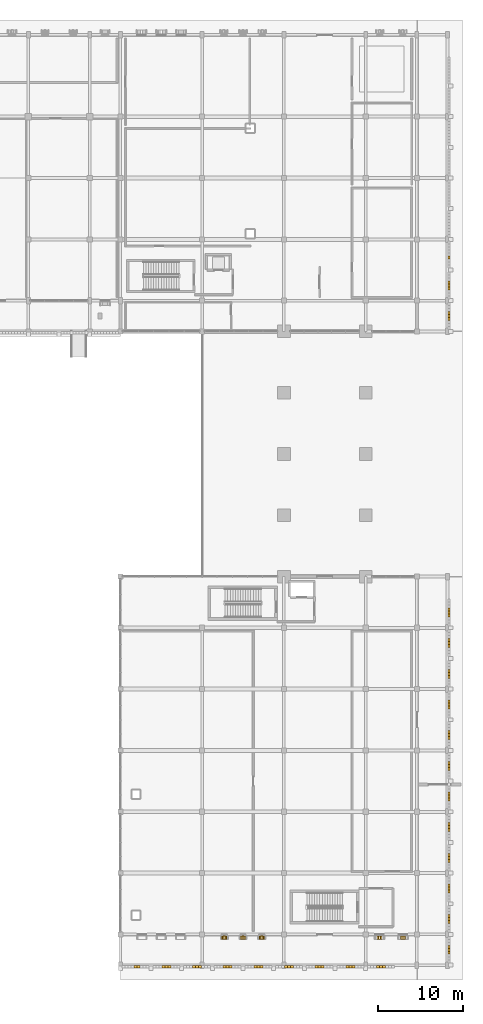
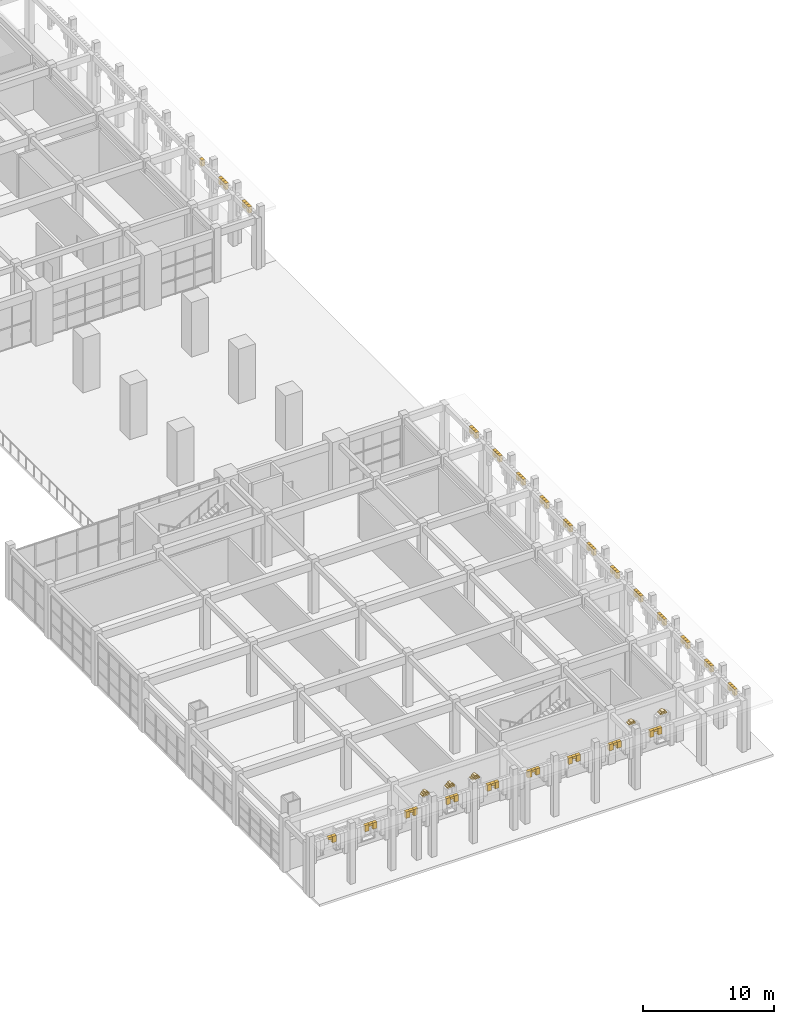
# One storey, part 70 of 72: 82 coverings.
"""IFC4 building model written with IfcOpenShell, lengths in metres."""

from ifc_helpers import new_model, si_unit, direction, frame, origin, origin_2d, place, context, subcontext, project, spatial, rectangle, extrude, material, layer, layer_set, type_object, element, save


model = new_model("IFC4")

# Units and contexts
model_context = context("Model", 3, precision=1e-05, world=origin(), true_north=direction((0.0, 1.0)))
body_context = subcontext(model_context, "Body", "Model", "MODEL_VIEW")
ifc_project = project(units=[si_unit("LENGTHUNIT", "METRE"), si_unit("AREAUNIT", "SQUARE_METRE"), si_unit("VOLUMEUNIT", "CUBIC_METRE"), si_unit("PLANEANGLEUNIT", "RADIAN"), si_unit("MASSUNIT", "GRAM", prefix="KILO")], contexts=[model_context])

# Site, building, storey
site_placement = place(None, origin())
site = spatial("IfcSite", under=ifc_project, at=site_placement, CompositionType="ELEMENT")
building_placement = place(site_placement, origin())
building = spatial("IfcBuilding", under=site, at=building_placement, Name="Nzembalo Square Collegiate School", CompositionType="ELEMENT")
storey_placement = place(building_placement, origin())
storey = spatial("IfcBuildingStorey", under=building, at=storey_placement, Name="L00", CompositionType="ELEMENT", Elevation=0.0)

# Coverings
ifc_material_1 = material(Name="Precast concrete C40/50 arch voussoir", Category="concrete")
ifc_layer_1 = layer(ifc_material_1, 0.1201171875, Name="Precast concrete C40/50 arch voussoir")
ifc_layer_set_1 = layer_set([ifc_layer_1], Name="Precast concrete C40/50 arch voussoir")
covering_type_1 = type_object("IfcCoveringType", Name="AR01", PredefinedType="CLADDING", material=ifc_layer_set_1)
covering_1_placement = place(storey_placement, frame((132.60009765625, 4.6201171875, 4.579833984375), z_axis=(0.0, 0.0, 1.0), x_axis=(1.0, 0.0, 0.0)))
element("IfcCovering", 1, at=covering_1_placement, inside=storey, type_object=covering_type_1, Name="Gothic pointed arch voussoir AR01-067-4", PredefinedType="CLADDING", context=body_context, shape_type="SweptSolid", body=[
    extrude(rectangle(XDim=0.35107421875, YDim=0.280029296875, at=origin_2d()), origin(), (0.0, 0.0, 1.0), 0.22021484375),
])
for number, where, z_axis, x_axis, name in (
    (2, (132.951171875, 4.6201171875, 4.2109375), (0.0, 0.0, 1.0), (1.0, 0.0, 0.0), "Gothic pointed arch voussoir AR01-067-5"),
    (3, (135.848876953125, 4.6201171875, 4.2109375), (0.0, 0.0, 1.0), (1.0, 0.0, 0.0), "Gothic pointed arch voussoir AR01-068-3"),
):
    element("IfcCovering", number, at=place(storey_placement, frame(where, z_axis=z_axis, x_axis=x_axis)), inside=storey, type_object=covering_type_1, Name=name, PredefinedType="CLADDING", context=body_context, shape_type="SweptSolid", body=[
        extrude(rectangle(XDim=0.35107421875, YDim=0.280029296875, at=origin_2d()), origin(), (0.0, 0.0, 1.0), 0.589111328125),
    ])
covering_2_placement = place(storey_placement, frame((136.199951171875, 4.6201171875, 4.579833984375), z_axis=(0.0, 0.0, 1.0), x_axis=(1.0, 0.0, 0.0)))
element("IfcCovering", 4, at=covering_2_placement, inside=storey, type_object=covering_type_1, Name="Gothic pointed arch voussoir AR01-068-4", PredefinedType="CLADDING", context=body_context, shape_type="SweptSolid", body=[
    extrude(rectangle(XDim=0.35107421875, YDim=0.280029296875, at=origin_2d()), origin(), (0.0, 0.0, 1.0), 0.22021484375),
])
for number, where, z_axis, x_axis, name in (
    (5, (136.551025390625, 4.6201171875, 4.2109375), (0.0, 0.0, 1.0), (1.0, 0.0, 0.0), "Gothic pointed arch voussoir AR01-068-5"),
    (6, (139.448974609375, 4.6201171875, 4.2109375), (0.0, 0.0, 1.0), (1.0, 0.0, 0.0), "Gothic pointed arch voussoir AR01-069-3"),
):
    element("IfcCovering", number, at=place(storey_placement, frame(where, z_axis=z_axis, x_axis=x_axis)), inside=storey, type_object=covering_type_1, Name=name, PredefinedType="CLADDING", context=body_context, shape_type="SweptSolid", body=[
        extrude(rectangle(XDim=0.35107421875, YDim=0.280029296875, at=origin_2d()), origin(), (0.0, 0.0, 1.0), 0.589111328125),
    ])
covering_3_placement = place(storey_placement, frame((139.800048828125, 4.6201171875, 4.579833984375), z_axis=(0.0, 0.0, 1.0), x_axis=(1.0, 0.0, 0.0)))
element("IfcCovering", 7, at=covering_3_placement, inside=storey, type_object=covering_type_1, Name="Gothic pointed arch voussoir AR01-069-4", PredefinedType="CLADDING", context=body_context, shape_type="SweptSolid", body=[
    extrude(rectangle(XDim=0.35107421875, YDim=0.280029296875, at=origin_2d()), origin(), (0.0, 0.0, 1.0), 0.22021484375),
])
for number, where, z_axis, x_axis, name in (
    (8, (140.15087890625, 4.6201171875, 4.2109375), (0.0, 0.0, 1.0), (1.0, 0.0, 0.0), "Gothic pointed arch voussoir AR01-069-5"),
    (9, (143.048828125, 4.6201171875, 4.2109375), (0.0, 0.0, 1.0), (1.0, 0.0, 0.0), "Gothic pointed arch voussoir AR01-070-3"),
):
    element("IfcCovering", number, at=place(storey_placement, frame(where, z_axis=z_axis, x_axis=x_axis)), inside=storey, type_object=covering_type_1, Name=name, PredefinedType="CLADDING", context=body_context, shape_type="SweptSolid", body=[
        extrude(rectangle(XDim=0.35107421875, YDim=0.280029296875, at=origin_2d()), origin(), (0.0, 0.0, 1.0), 0.589111328125),
    ])
covering_4_placement = place(storey_placement, frame((143.39990234375, 4.6201171875, 4.579833984375), z_axis=(0.0, 0.0, 1.0), x_axis=(1.0, 0.0, 0.0)))
element("IfcCovering", 10, at=covering_4_placement, inside=storey, type_object=covering_type_1, Name="Gothic pointed arch voussoir AR01-070-4", PredefinedType="CLADDING", context=body_context, shape_type="SweptSolid", body=[
    extrude(rectangle(XDim=0.35107421875, YDim=0.280029296875, at=origin_2d()), origin(), (0.0, 0.0, 1.0), 0.22021484375),
])
for number, where, z_axis, x_axis, name in (
    (11, (143.7509765625, 4.6201171875, 4.2109375), (0.0, 0.0, 1.0), (1.0, 0.0, 0.0), "Gothic pointed arch voussoir AR01-070-5"),
    (12, (146.64892578125, 4.6201171875, 4.2109375), (0.0, 0.0, 1.0), (1.0, 0.0, 0.0), "Gothic pointed arch voussoir AR01-071-3"),
):
    element("IfcCovering", number, at=place(storey_placement, frame(where, z_axis=z_axis, x_axis=x_axis)), inside=storey, type_object=covering_type_1, Name=name, PredefinedType="CLADDING", context=body_context, shape_type="SweptSolid", body=[
        extrude(rectangle(XDim=0.35107421875, YDim=0.280029296875, at=origin_2d()), origin(), (0.0, 0.0, 1.0), 0.589111328125),
    ])
covering_5_placement = place(storey_placement, frame((147.0, 4.6201171875, 4.579833984375), z_axis=(0.0, 0.0, 1.0), x_axis=(1.0, 0.0, 0.0)))
element("IfcCovering", 13, at=covering_5_placement, inside=storey, type_object=covering_type_1, Name="Gothic pointed arch voussoir AR01-071-4", PredefinedType="CLADDING", context=body_context, shape_type="SweptSolid", body=[
    extrude(rectangle(XDim=0.35107421875, YDim=0.280029296875, at=origin_2d()), origin(), (0.0, 0.0, 1.0), 0.22021484375),
])
for number, where, z_axis, x_axis, name in (
    (14, (147.35107421875, 4.6201171875, 4.2109375), (0.0, 0.0, 1.0), (1.0, 0.0, 0.0), "Gothic pointed arch voussoir AR01-071-5"),
    (15, (150.248779296875, 4.6201171875, 4.2109375), (0.0, 0.0, 1.0), (1.0, 0.0, 0.0), "Gothic pointed arch voussoir AR01-072-3"),
):
    element("IfcCovering", number, at=place(storey_placement, frame(where, z_axis=z_axis, x_axis=x_axis)), inside=storey, type_object=covering_type_1, Name=name, PredefinedType="CLADDING", context=body_context, shape_type="SweptSolid", body=[
        extrude(rectangle(XDim=0.35107421875, YDim=0.280029296875, at=origin_2d()), origin(), (0.0, 0.0, 1.0), 0.589111328125),
    ])
covering_6_placement = place(storey_placement, frame((150.60009765625, 4.6201171875, 4.579833984375), z_axis=(0.0, 0.0, 1.0), x_axis=(1.0, 0.0, 0.0)))
element("IfcCovering", 16, at=covering_6_placement, inside=storey, type_object=covering_type_1, Name="Gothic pointed arch voussoir AR01-072-4", PredefinedType="CLADDING", context=body_context, shape_type="SweptSolid", body=[
    extrude(rectangle(XDim=0.35107421875, YDim=0.280029296875, at=origin_2d()), origin(), (0.0, 0.0, 1.0), 0.22021484375),
])
for number, where, z_axis, x_axis, name in (
    (17, (150.950927734375, 4.6201171875, 4.2109375), (0.0, 0.0, 1.0), (1.0, 0.0, 0.0), "Gothic pointed arch voussoir AR01-072-5"),
    (18, (153.848876953125, 4.6201171875, 4.2109375), (0.0, 0.0, 1.0), (1.0, 0.0, 0.0), "Gothic pointed arch voussoir AR01-073-3"),
):
    element("IfcCovering", number, at=place(storey_placement, frame(where, z_axis=z_axis, x_axis=x_axis)), inside=storey, type_object=covering_type_1, Name=name, PredefinedType="CLADDING", context=body_context, shape_type="SweptSolid", body=[
        extrude(rectangle(XDim=0.35107421875, YDim=0.280029296875, at=origin_2d()), origin(), (0.0, 0.0, 1.0), 0.589111328125),
    ])
covering_7_placement = place(storey_placement, frame((154.199951171875, 4.6201171875, 4.579833984375), z_axis=(0.0, 0.0, 1.0), x_axis=(1.0, 0.0, 0.0)))
element("IfcCovering", 19, at=covering_7_placement, inside=storey, type_object=covering_type_1, Name="Gothic pointed arch voussoir AR01-073-4", PredefinedType="CLADDING", context=body_context, shape_type="SweptSolid", body=[
    extrude(rectangle(XDim=0.35107421875, YDim=0.280029296875, at=origin_2d()), origin(), (0.0, 0.0, 1.0), 0.22021484375),
])
for number, where, z_axis, x_axis, name in (
    (20, (154.551025390625, 4.6201171875, 4.2109375), (0.0, 0.0, 1.0), (1.0, 0.0, 0.0), "Gothic pointed arch voussoir AR01-073-5"),
    (21, (157.44873046875, 4.6201171875, 4.2109375), (0.0, 0.0, 1.0), (1.0, 0.0, 0.0), "Gothic pointed arch voussoir AR01-074-3"),
):
    element("IfcCovering", number, at=place(storey_placement, frame(where, z_axis=z_axis, x_axis=x_axis)), inside=storey, type_object=covering_type_1, Name=name, PredefinedType="CLADDING", context=body_context, shape_type="SweptSolid", body=[
        extrude(rectangle(XDim=0.35107421875, YDim=0.280029296875, at=origin_2d()), origin(), (0.0, 0.0, 1.0), 0.589111328125),
    ])
covering_8_placement = place(storey_placement, frame((157.7998046875, 4.6201171875, 4.579833984375), z_axis=(0.0, 0.0, 1.0), x_axis=(1.0, 0.0, 0.0)))
element("IfcCovering", 22, at=covering_8_placement, inside=storey, type_object=covering_type_1, Name="Gothic pointed arch voussoir AR01-074-4", PredefinedType="CLADDING", context=body_context, shape_type="SweptSolid", body=[
    extrude(rectangle(XDim=0.35107421875, YDim=0.280029296875, at=origin_2d()), origin(), (0.0, 0.0, 1.0), 0.22021484375),
])
for number, where, z_axis, x_axis, name in (
    (23, (158.15087890625, 4.6201171875, 4.2109375), (0.0, 0.0, 1.0), (1.0, 0.0, 0.0), "Gothic pointed arch voussoir AR01-074-5"),
    (24, (161.048828125, 4.6201171875, 4.2109375), (0.0, 0.0, 1.0), (1.0, 0.0, 0.0), "Gothic pointed arch voussoir AR01-075-3"),
):
    element("IfcCovering", number, at=place(storey_placement, frame(where, z_axis=z_axis, x_axis=x_axis)), inside=storey, type_object=covering_type_1, Name=name, PredefinedType="CLADDING", context=body_context, shape_type="SweptSolid", body=[
        extrude(rectangle(XDim=0.35107421875, YDim=0.280029296875, at=origin_2d()), origin(), (0.0, 0.0, 1.0), 0.589111328125),
    ])
covering_9_placement = place(storey_placement, frame((161.39990234375, 4.6201171875, 4.579833984375), z_axis=(0.0, 0.0, 1.0), x_axis=(1.0, 0.0, 0.0)))
element("IfcCovering", 25, at=covering_9_placement, inside=storey, type_object=covering_type_1, Name="Gothic pointed arch voussoir AR01-075-4", PredefinedType="CLADDING", context=body_context, shape_type="SweptSolid", body=[
    extrude(rectangle(XDim=0.35107421875, YDim=0.280029296875, at=origin_2d()), origin(), (0.0, 0.0, 1.0), 0.22021484375),
])
covering_10_placement = place(storey_placement, frame((161.7509765625, 4.6201171875, 4.2109375), z_axis=(0.0, 0.0, 1.0), x_axis=(1.0, 0.0, 0.0)))
element("IfcCovering", 26, at=covering_10_placement, inside=storey, type_object=covering_type_1, Name="Gothic pointed arch voussoir AR01-075-5", PredefinedType="CLADDING", context=body_context, shape_type="SweptSolid", body=[
    extrude(rectangle(XDim=0.35107421875, YDim=0.280029296875, at=origin_2d()), origin(), (0.0, 0.0, 1.0), 0.589111328125),
])
covering_11_placement = place(storey_placement, frame((169.3798828125, 6.248779296875, 4.2109375), z_axis=(0.0, 0.0, 1.0), x_axis=(1.0, 0.0, 0.0)))
element("IfcCovering", 27, at=covering_11_placement, inside=storey, type_object=covering_type_1, Name="Gothic pointed arch voussoir AR01-076-3", PredefinedType="CLADDING", context=body_context, shape_type="SweptSolid", body=[
    extrude(rectangle(XDim=0.280029296875, YDim=0.35107421875, at=origin_2d()), origin(), (0.0, 0.0, 1.0), 0.589111328125),
])
covering_12_placement = place(storey_placement, frame((169.3798828125, 6.599853515625, 4.579833984375), z_axis=(0.0, 0.0, 1.0), x_axis=(1.0, 0.0, 0.0)))
element("IfcCovering", 28, at=covering_12_placement, inside=storey, type_object=covering_type_1, Name="Gothic pointed arch voussoir AR01-076-4", PredefinedType="CLADDING", context=body_context, shape_type="SweptSolid", body=[
    extrude(rectangle(XDim=0.280029296875, YDim=0.35107421875, at=origin_2d()), origin(), (0.0, 0.0, 1.0), 0.22021484375),
])
for number, where, z_axis, x_axis, name in (
    (29, (169.3798828125, 6.950927734375, 4.2109375), (0.0, 0.0, 1.0), (1.0, 0.0, 0.0), "Gothic pointed arch voussoir AR01-076-5"),
    (30, (169.3798828125, 9.848876953125, 4.2109375), (0.0, 0.0, 1.0), (1.0, 0.0, 0.0), "Gothic pointed arch voussoir AR01-077-3"),
):
    element("IfcCovering", number, at=place(storey_placement, frame(where, z_axis=z_axis, x_axis=x_axis)), inside=storey, type_object=covering_type_1, Name=name, PredefinedType="CLADDING", context=body_context, shape_type="SweptSolid", body=[
        extrude(rectangle(XDim=0.280029296875, YDim=0.35107421875, at=origin_2d()), origin(), (0.0, 0.0, 1.0), 0.589111328125),
    ])
covering_13_placement = place(storey_placement, frame((169.3798828125, 10.199951171875, 4.579833984375), z_axis=(0.0, 0.0, 1.0), x_axis=(1.0, 0.0, 0.0)))
element("IfcCovering", 31, at=covering_13_placement, inside=storey, type_object=covering_type_1, Name="Gothic pointed arch voussoir AR01-077-4", PredefinedType="CLADDING", context=body_context, shape_type="SweptSolid", body=[
    extrude(rectangle(XDim=0.280029296875, YDim=0.35107421875, at=origin_2d()), origin(), (0.0, 0.0, 1.0), 0.22021484375),
])
for number, where, z_axis, x_axis, name in (
    (32, (169.3798828125, 10.551025390625, 4.2109375), (0.0, 0.0, 1.0), (1.0, 0.0, 0.0), "Gothic pointed arch voussoir AR01-077-5"),
    (33, (169.3798828125, 13.44873046875, 4.2109375), (0.0, 0.0, 1.0), (1.0, 0.0, 0.0), "Gothic pointed arch voussoir AR01-078-3"),
):
    element("IfcCovering", number, at=place(storey_placement, frame(where, z_axis=z_axis, x_axis=x_axis)), inside=storey, type_object=covering_type_1, Name=name, PredefinedType="CLADDING", context=body_context, shape_type="SweptSolid", body=[
        extrude(rectangle(XDim=0.280029296875, YDim=0.35107421875, at=origin_2d()), origin(), (0.0, 0.0, 1.0), 0.589111328125),
    ])
covering_14_placement = place(storey_placement, frame((169.3798828125, 13.7998046875, 4.579833984375), z_axis=(0.0, 0.0, 1.0), x_axis=(1.0, 0.0, 0.0)))
element("IfcCovering", 34, at=covering_14_placement, inside=storey, type_object=covering_type_1, Name="Gothic pointed arch voussoir AR01-078-4", PredefinedType="CLADDING", context=body_context, shape_type="SweptSolid", body=[
    extrude(rectangle(XDim=0.280029296875, YDim=0.35107421875, at=origin_2d()), origin(), (0.0, 0.0, 1.0), 0.22021484375),
])
for number, where, z_axis, x_axis, name in (
    (35, (169.3798828125, 14.15087890625, 4.2109375), (0.0, 0.0, 1.0), (1.0, 0.0, 0.0), "Gothic pointed arch voussoir AR01-078-5"),
    (36, (169.3798828125, 17.048828125, 4.2109375), (0.0, 0.0, 1.0), (1.0, 0.0, 0.0), "Gothic pointed arch voussoir AR01-079-3"),
):
    element("IfcCovering", number, at=place(storey_placement, frame(where, z_axis=z_axis, x_axis=x_axis)), inside=storey, type_object=covering_type_1, Name=name, PredefinedType="CLADDING", context=body_context, shape_type="SweptSolid", body=[
        extrude(rectangle(XDim=0.280029296875, YDim=0.35107421875, at=origin_2d()), origin(), (0.0, 0.0, 1.0), 0.589111328125),
    ])
covering_15_placement = place(storey_placement, frame((169.3798828125, 17.39990234375, 4.579833984375), z_axis=(0.0, 0.0, 1.0), x_axis=(1.0, 0.0, 0.0)))
element("IfcCovering", 37, at=covering_15_placement, inside=storey, type_object=covering_type_1, Name="Gothic pointed arch voussoir AR01-079-4", PredefinedType="CLADDING", context=body_context, shape_type="SweptSolid", body=[
    extrude(rectangle(XDim=0.280029296875, YDim=0.35107421875, at=origin_2d()), origin(), (0.0, 0.0, 1.0), 0.22021484375),
])
for number, where, z_axis, x_axis, name in (
    (38, (169.3798828125, 17.7509765625, 4.2109375), (0.0, 0.0, 1.0), (1.0, 0.0, 0.0), "Gothic pointed arch voussoir AR01-079-5"),
    (39, (169.3798828125, 20.648681640625, 4.2109375), (0.0, 0.0, 1.0), (1.0, 0.0, 0.0), "Gothic pointed arch voussoir AR01-080-3"),
):
    element("IfcCovering", number, at=place(storey_placement, frame(where, z_axis=z_axis, x_axis=x_axis)), inside=storey, type_object=covering_type_1, Name=name, PredefinedType="CLADDING", context=body_context, shape_type="SweptSolid", body=[
        extrude(rectangle(XDim=0.280029296875, YDim=0.35107421875, at=origin_2d()), origin(), (0.0, 0.0, 1.0), 0.589111328125),
    ])
covering_16_placement = place(storey_placement, frame((169.3798828125, 21.0, 4.579833984375), z_axis=(0.0, 0.0, 1.0), x_axis=(1.0, 0.0, 0.0)))
element("IfcCovering", 40, at=covering_16_placement, inside=storey, type_object=covering_type_1, Name="Gothic pointed arch voussoir AR01-080-4", PredefinedType="CLADDING", context=body_context, shape_type="SweptSolid", body=[
    extrude(rectangle(XDim=0.280029296875, YDim=0.35107421875, at=origin_2d()), origin(), (0.0, 0.0, 1.0), 0.22021484375),
])
for number, where, z_axis, x_axis, name in (
    (41, (169.3798828125, 21.35107421875, 4.2109375), (0.0, 0.0, 1.0), (1.0, 0.0, 0.0), "Gothic pointed arch voussoir AR01-080-5"),
    (42, (169.3798828125, 24.248779296875, 4.2109375), (0.0, 0.0, 1.0), (1.0, 0.0, 0.0), "Gothic pointed arch voussoir AR01-081-3"),
):
    element("IfcCovering", number, at=place(storey_placement, frame(where, z_axis=z_axis, x_axis=x_axis)), inside=storey, type_object=covering_type_1, Name=name, PredefinedType="CLADDING", context=body_context, shape_type="SweptSolid", body=[
        extrude(rectangle(XDim=0.280029296875, YDim=0.35107421875, at=origin_2d()), origin(), (0.0, 0.0, 1.0), 0.589111328125),
    ])
covering_17_placement = place(storey_placement, frame((169.3798828125, 24.599853515625, 4.579833984375), z_axis=(0.0, 0.0, 1.0), x_axis=(1.0, 0.0, 0.0)))
element("IfcCovering", 43, at=covering_17_placement, inside=storey, type_object=covering_type_1, Name="Gothic pointed arch voussoir AR01-081-4", PredefinedType="CLADDING", context=body_context, shape_type="SweptSolid", body=[
    extrude(rectangle(XDim=0.280029296875, YDim=0.35107421875, at=origin_2d()), origin(), (0.0, 0.0, 1.0), 0.22021484375),
])
for number, where, z_axis, x_axis, name in (
    (44, (169.3798828125, 24.951171875, 4.2109375), (0.0, 0.0, 1.0), (1.0, 0.0, 0.0), "Gothic pointed arch voussoir AR01-081-5"),
    (45, (169.3798828125, 27.848876953125, 4.2109375), (0.0, 0.0, 1.0), (1.0, 0.0, 0.0), "Gothic pointed arch voussoir AR01-082-3"),
):
    element("IfcCovering", number, at=place(storey_placement, frame(where, z_axis=z_axis, x_axis=x_axis)), inside=storey, type_object=covering_type_1, Name=name, PredefinedType="CLADDING", context=body_context, shape_type="SweptSolid", body=[
        extrude(rectangle(XDim=0.280029296875, YDim=0.35107421875, at=origin_2d()), origin(), (0.0, 0.0, 1.0), 0.589111328125),
    ])
covering_18_placement = place(storey_placement, frame((169.3798828125, 28.199951171875, 4.579833984375), z_axis=(0.0, 0.0, 1.0), x_axis=(1.0, 0.0, 0.0)))
element("IfcCovering", 46, at=covering_18_placement, inside=storey, type_object=covering_type_1, Name="Gothic pointed arch voussoir AR01-082-4", PredefinedType="CLADDING", context=body_context, shape_type="SweptSolid", body=[
    extrude(rectangle(XDim=0.280029296875, YDim=0.35107421875, at=origin_2d()), origin(), (0.0, 0.0, 1.0), 0.22021484375),
])
for number, where, z_axis, x_axis, name in (
    (47, (169.3798828125, 28.551025390625, 4.2109375), (0.0, 0.0, 1.0), (1.0, 0.0, 0.0), "Gothic pointed arch voussoir AR01-082-5"),
    (48, (169.3798828125, 31.448974609375, 4.2109375), (0.0, 0.0, 1.0), (1.0, 0.0, 0.0), "Gothic pointed arch voussoir AR01-083-3"),
):
    element("IfcCovering", number, at=place(storey_placement, frame(where, z_axis=z_axis, x_axis=x_axis)), inside=storey, type_object=covering_type_1, Name=name, PredefinedType="CLADDING", context=body_context, shape_type="SweptSolid", body=[
        extrude(rectangle(XDim=0.280029296875, YDim=0.35107421875, at=origin_2d()), origin(), (0.0, 0.0, 1.0), 0.589111328125),
    ])
covering_19_placement = place(storey_placement, frame((169.3798828125, 31.800048828125, 4.579833984375), z_axis=(0.0, 0.0, 1.0), x_axis=(1.0, 0.0, 0.0)))
element("IfcCovering", 49, at=covering_19_placement, inside=storey, type_object=covering_type_1, Name="Gothic pointed arch voussoir AR01-083-4", PredefinedType="CLADDING", context=body_context, shape_type="SweptSolid", body=[
    extrude(rectangle(XDim=0.280029296875, YDim=0.35107421875, at=origin_2d()), origin(), (0.0, 0.0, 1.0), 0.22021484375),
])
for number, where, z_axis, x_axis, name in (
    (50, (169.3798828125, 32.151123046875, 4.2109375), (0.0, 0.0, 1.0), (1.0, 0.0, 0.0), "Gothic pointed arch voussoir AR01-083-5"),
    (51, (169.3798828125, 35.048828125, 4.2109375), (0.0, 0.0, 1.0), (1.0, 0.0, 0.0), "Gothic pointed arch voussoir AR01-084-3"),
):
    element("IfcCovering", number, at=place(storey_placement, frame(where, z_axis=z_axis, x_axis=x_axis)), inside=storey, type_object=covering_type_1, Name=name, PredefinedType="CLADDING", context=body_context, shape_type="SweptSolid", body=[
        extrude(rectangle(XDim=0.280029296875, YDim=0.35107421875, at=origin_2d()), origin(), (0.0, 0.0, 1.0), 0.589111328125),
    ])
covering_20_placement = place(storey_placement, frame((169.3798828125, 35.39990234375, 4.579833984375), z_axis=(0.0, 0.0, 1.0), x_axis=(1.0, 0.0, 0.0)))
element("IfcCovering", 52, at=covering_20_placement, inside=storey, type_object=covering_type_1, Name="Gothic pointed arch voussoir AR01-084-4", PredefinedType="CLADDING", context=body_context, shape_type="SweptSolid", body=[
    extrude(rectangle(XDim=0.280029296875, YDim=0.35107421875, at=origin_2d()), origin(), (0.0, 0.0, 1.0), 0.22021484375),
])
for number, where, z_axis, x_axis, name in (
    (53, (169.3798828125, 35.751220703125, 4.2109375), (0.0, 0.0, 1.0), (1.0, 0.0, 0.0), "Gothic pointed arch voussoir AR01-084-5"),
    (54, (169.3798828125, 38.64892578125, 4.2109375), (0.0, 0.0, 1.0), (1.0, 0.0, 0.0), "Gothic pointed arch voussoir AR01-085-3"),
):
    element("IfcCovering", number, at=place(storey_placement, frame(where, z_axis=z_axis, x_axis=x_axis)), inside=storey, type_object=covering_type_1, Name=name, PredefinedType="CLADDING", context=body_context, shape_type="SweptSolid", body=[
        extrude(rectangle(XDim=0.280029296875, YDim=0.35107421875, at=origin_2d()), origin(), (0.0, 0.0, 1.0), 0.589111328125),
    ])
covering_21_placement = place(storey_placement, frame((169.3798828125, 39.0, 4.579833984375), z_axis=(0.0, 0.0, 1.0), x_axis=(1.0, 0.0, 0.0)))
element("IfcCovering", 55, at=covering_21_placement, inside=storey, type_object=covering_type_1, Name="Gothic pointed arch voussoir AR01-085-4", PredefinedType="CLADDING", context=body_context, shape_type="SweptSolid", body=[
    extrude(rectangle(XDim=0.280029296875, YDim=0.35107421875, at=origin_2d()), origin(), (0.0, 0.0, 1.0), 0.22021484375),
])
for number, where, z_axis, x_axis, name in (
    (56, (169.3798828125, 39.35107421875, 4.2109375), (0.0, 0.0, 1.0), (1.0, 0.0, 0.0), "Gothic pointed arch voussoir AR01-085-5"),
    (57, (169.3798828125, 42.248779296875, 4.2109375), (0.0, 0.0, 1.0), (1.0, 0.0, 0.0), "Gothic pointed arch voussoir AR01-086-3"),
):
    element("IfcCovering", number, at=place(storey_placement, frame(where, z_axis=z_axis, x_axis=x_axis)), inside=storey, type_object=covering_type_1, Name=name, PredefinedType="CLADDING", context=body_context, shape_type="SweptSolid", body=[
        extrude(rectangle(XDim=0.280029296875, YDim=0.35107421875, at=origin_2d()), origin(), (0.0, 0.0, 1.0), 0.589111328125),
    ])
covering_22_placement = place(storey_placement, frame((169.3798828125, 42.60009765625, 4.579833984375), z_axis=(0.0, 0.0, 1.0), x_axis=(1.0, 0.0, 0.0)))
element("IfcCovering", 58, at=covering_22_placement, inside=storey, type_object=covering_type_1, Name="Gothic pointed arch voussoir AR01-086-4", PredefinedType="CLADDING", context=body_context, shape_type="SweptSolid", body=[
    extrude(rectangle(XDim=0.280029296875, YDim=0.35107421875, at=origin_2d()), origin(), (0.0, 0.0, 1.0), 0.22021484375),
])
for number, where, z_axis, x_axis, name in (
    (59, (169.3798828125, 42.951171875, 4.2109375), (0.0, 0.0, 1.0), (1.0, 0.0, 0.0), "Gothic pointed arch voussoir AR01-086-5"),
    (60, (169.3798828125, 45.848876953125, 4.2109375), (0.0, 0.0, 1.0), (1.0, 0.0, 0.0), "Gothic pointed arch voussoir AR01-087-3"),
):
    element("IfcCovering", number, at=place(storey_placement, frame(where, z_axis=z_axis, x_axis=x_axis)), inside=storey, type_object=covering_type_1, Name=name, PredefinedType="CLADDING", context=body_context, shape_type="SweptSolid", body=[
        extrude(rectangle(XDim=0.280029296875, YDim=0.35107421875, at=origin_2d()), origin(), (0.0, 0.0, 1.0), 0.589111328125),
    ])
covering_23_placement = place(storey_placement, frame((169.3798828125, 46.199951171875, 4.579833984375), z_axis=(0.0, 0.0, 1.0), x_axis=(1.0, 0.0, 0.0)))
element("IfcCovering", 61, at=covering_23_placement, inside=storey, type_object=covering_type_1, Name="Gothic pointed arch voussoir AR01-087-4", PredefinedType="CLADDING", context=body_context, shape_type="SweptSolid", body=[
    extrude(rectangle(XDim=0.280029296875, YDim=0.35107421875, at=origin_2d()), origin(), (0.0, 0.0, 1.0), 0.22021484375),
])
for number, where, z_axis, x_axis, name in (
    (62, (169.3798828125, 46.551025390625, 4.2109375), (0.0, 0.0, 1.0), (1.0, 0.0, 0.0), "Gothic pointed arch voussoir AR01-087-5"),
    (63, (169.3798828125, 80.648681640625, 4.2109375), (0.0, 0.0, 1.0), (1.0, 0.0, 0.0), "Gothic pointed arch voussoir AR01-088-3"),
):
    element("IfcCovering", number, at=place(storey_placement, frame(where, z_axis=z_axis, x_axis=x_axis)), inside=storey, type_object=covering_type_1, Name=name, PredefinedType="CLADDING", context=body_context, shape_type="SweptSolid", body=[
        extrude(rectangle(XDim=0.280029296875, YDim=0.35107421875, at=origin_2d()), origin(), (0.0, 0.0, 1.0), 0.589111328125),
    ])
covering_24_placement = place(storey_placement, frame((169.3798828125, 81.0, 4.579833984375), z_axis=(0.0, 0.0, 1.0), x_axis=(1.0, 0.0, 0.0)))
element("IfcCovering", 64, at=covering_24_placement, inside=storey, type_object=covering_type_1, Name="Gothic pointed arch voussoir AR01-088-4", PredefinedType="CLADDING", context=body_context, shape_type="SweptSolid", body=[
    extrude(rectangle(XDim=0.280029296875, YDim=0.35107421875, at=origin_2d()), origin(), (0.0, 0.0, 1.0), 0.22021484375),
])
for number, where, z_axis, x_axis, name in (
    (65, (169.3798828125, 81.35107421875, 4.2109375), (0.0, 0.0, 1.0), (1.0, 0.0, 0.0), "Gothic pointed arch voussoir AR01-088-5"),
    (66, (169.3798828125, 84.248779296875, 4.2109375), (0.0, 0.0, 1.0), (1.0, 0.0, 0.0), "Gothic pointed arch voussoir AR01-089-3"),
):
    element("IfcCovering", number, at=place(storey_placement, frame(where, z_axis=z_axis, x_axis=x_axis)), inside=storey, type_object=covering_type_1, Name=name, PredefinedType="CLADDING", context=body_context, shape_type="SweptSolid", body=[
        extrude(rectangle(XDim=0.280029296875, YDim=0.35107421875, at=origin_2d()), origin(), (0.0, 0.0, 1.0), 0.589111328125),
    ])
covering_25_placement = place(storey_placement, frame((169.3798828125, 84.599853515625, 4.579833984375), z_axis=(0.0, 0.0, 1.0), x_axis=(1.0, 0.0, 0.0)))
element("IfcCovering", 67, at=covering_25_placement, inside=storey, type_object=covering_type_1, Name="Gothic pointed arch voussoir AR01-089-4", PredefinedType="CLADDING", context=body_context, shape_type="SweptSolid", body=[
    extrude(rectangle(XDim=0.280029296875, YDim=0.35107421875, at=origin_2d()), origin(), (0.0, 0.0, 1.0), 0.22021484375),
])
for number, where, z_axis, x_axis, name in (
    (68, (169.3798828125, 84.950927734375, 4.2109375), (0.0, 0.0, 1.0), (1.0, 0.0, 0.0), "Gothic pointed arch voussoir AR01-089-5"),
    (69, (169.3798828125, 87.848876953125, 4.2109375), (0.0, 0.0, 1.0), (1.0, 0.0, 0.0), "Gothic pointed arch voussoir AR01-090-3"),
):
    element("IfcCovering", number, at=place(storey_placement, frame(where, z_axis=z_axis, x_axis=x_axis)), inside=storey, type_object=covering_type_1, Name=name, PredefinedType="CLADDING", context=body_context, shape_type="SweptSolid", body=[
        extrude(rectangle(XDim=0.280029296875, YDim=0.35107421875, at=origin_2d()), origin(), (0.0, 0.0, 1.0), 0.589111328125),
    ])
ifc_material_2 = material(Name="Glazed celadon ceramic window frame")
ifc_layer_2 = layer(ifc_material_2, 0.419921875, Name="Glazed celadon ceramic window frame")
ifc_layer_set_2 = layer_set([ifc_layer_2], Name="Glazed celadon ceramic window frame")
covering_type_2 = type_object("IfcCoveringType", Name="WF01", PredefinedType="CLADDING", material=ifc_layer_set_2)
covering_26_placement = place(storey_placement, frame((143.0009765625, 8.014892578125, 3.02001953125), z_axis=(0.0, 0.0, 1.0), x_axis=(1.0, 0.0, 0.0)))
element("IfcCovering", 70, at=covering_26_placement, inside=storey, type_object=covering_type_2, Name="Pointed lancet gable WF01-0058-1", PredefinedType="CLADDING", context=body_context, shape_type="SweptSolid", body=[
    extrude(rectangle(XDim=0.6689453125, YDim=0.419921875, at=origin_2d()), origin(), (0.0, 0.0, 1.0), 0.1201171875),
])
covering_27_placement = place(storey_placement, frame((143.0009765625, 8.014892578125, 3.139892578125), z_axis=(0.0, 0.0, 1.0), x_axis=(1.0, 0.0, 0.0)))
element("IfcCovering", 71, at=covering_27_placement, inside=storey, type_object=covering_type_2, Name="Pointed lancet gable WF01-0058-2", PredefinedType="CLADDING", context=body_context, shape_type="SweptSolid", body=[
    extrude(rectangle(XDim=0.422119140625, YDim=0.419921875, at=origin_2d()), origin(), (0.0, 0.0, 1.0), 0.1201171875),
])
covering_28_placement = place(storey_placement, frame((143.0009765625, 8.014892578125, 3.260009765625), z_axis=(0.0, 0.0, 1.0), x_axis=(1.0, 0.0, 0.0)))
element("IfcCovering", 72, at=covering_28_placement, inside=storey, type_object=covering_type_2, Name="Pointed lancet gable WF01-0058-3", PredefinedType="CLADDING", context=body_context, shape_type="SweptSolid", body=[
    extrude(rectangle(XDim=0.194091796875, YDim=0.419921875, at=origin_2d()), origin(), (0.0, 0.0, 1.0), 0.1201171875),
])
covering_29_placement = place(storey_placement, frame((145.199951171875, 8.014892578125, 3.02001953125), z_axis=(0.0, 0.0, 1.0), x_axis=(1.0, 0.0, 0.0)))
element("IfcCovering", 73, at=covering_29_placement, inside=storey, type_object=covering_type_2, Name="Pointed lancet gable WF01-0059-1", PredefinedType="CLADDING", context=body_context, shape_type="SweptSolid", body=[
    extrude(rectangle(XDim=0.6689453125, YDim=0.419921875, at=origin_2d()), origin(), (0.0, 0.0, 1.0), 0.1201171875),
])
covering_30_placement = place(storey_placement, frame((145.199951171875, 8.014892578125, 3.139892578125), z_axis=(0.0, 0.0, 1.0), x_axis=(1.0, 0.0, 0.0)))
element("IfcCovering", 74, at=covering_30_placement, inside=storey, type_object=covering_type_2, Name="Pointed lancet gable WF01-0059-2", PredefinedType="CLADDING", context=body_context, shape_type="SweptSolid", body=[
    extrude(rectangle(XDim=0.422119140625, YDim=0.419921875, at=origin_2d()), origin(), (0.0, 0.0, 1.0), 0.1201171875),
])
covering_31_placement = place(storey_placement, frame((145.199951171875, 8.014892578125, 3.260009765625), z_axis=(0.0, 0.0, 1.0), x_axis=(1.0, 0.0, 0.0)))
element("IfcCovering", 75, at=covering_31_placement, inside=storey, type_object=covering_type_2, Name="Pointed lancet gable WF01-0059-3", PredefinedType="CLADDING", context=body_context, shape_type="SweptSolid", body=[
    extrude(rectangle(XDim=0.194091796875, YDim=0.419921875, at=origin_2d()), origin(), (0.0, 0.0, 1.0), 0.1201171875),
])
covering_32_placement = place(storey_placement, frame((147.39892578125, 8.014892578125, 3.02001953125), z_axis=(0.0, 0.0, 1.0), x_axis=(1.0, 0.0, 0.0)))
element("IfcCovering", 76, at=covering_32_placement, inside=storey, type_object=covering_type_2, Name="Pointed lancet gable WF01-0060-1", PredefinedType="CLADDING", context=body_context, shape_type="SweptSolid", body=[
    extrude(rectangle(XDim=0.6689453125, YDim=0.419921875, at=origin_2d()), origin(), (0.0, 0.0, 1.0), 0.1201171875),
])
covering_33_placement = place(storey_placement, frame((147.39892578125, 8.014892578125, 3.139892578125), z_axis=(0.0, 0.0, 1.0), x_axis=(1.0, 0.0, 0.0)))
element("IfcCovering", 77, at=covering_33_placement, inside=storey, type_object=covering_type_2, Name="Pointed lancet gable WF01-0060-2", PredefinedType="CLADDING", context=body_context, shape_type="SweptSolid", body=[
    extrude(rectangle(XDim=0.422119140625, YDim=0.419921875, at=origin_2d()), origin(), (0.0, 0.0, 1.0), 0.1201171875),
])
covering_34_placement = place(storey_placement, frame((147.39892578125, 8.014892578125, 3.260009765625), z_axis=(0.0, 0.0, 1.0), x_axis=(1.0, 0.0, 0.0)))
element("IfcCovering", 78, at=covering_34_placement, inside=storey, type_object=covering_type_2, Name="Pointed lancet gable WF01-0060-3", PredefinedType="CLADDING", context=body_context, shape_type="SweptSolid", body=[
    extrude(rectangle(XDim=0.194091796875, YDim=0.419921875, at=origin_2d()), origin(), (0.0, 0.0, 1.0), 0.1201171875),
])
covering_35_placement = place(storey_placement, frame((161.216064453125, 8.014892578125, 3.31982421875), z_axis=(0.0, 0.0, 1.0), x_axis=(1.0, 0.0, 0.0)))
element("IfcCovering", 79, at=covering_35_placement, inside=storey, type_object=covering_type_2, Name="Pointed lancet gable WF01-0061-2", PredefinedType="CLADDING", context=body_context, shape_type="SweptSolid", body=[
    extrude(rectangle(XDim=0.5859375, YDim=0.419921875, at=origin_2d()), origin(), (0.0, 0.0, 1.0), 0.1201171875),
])
covering_36_placement = place(storey_placement, frame((161.216064453125, 8.014892578125, 3.43994140625), z_axis=(0.0, 0.0, 1.0), x_axis=(1.0, 0.0, 0.0)))
element("IfcCovering", 80, at=covering_36_placement, inside=storey, type_object=covering_type_2, Name="Pointed lancet gable WF01-0061-3", PredefinedType="CLADDING", context=body_context, shape_type="SweptSolid", body=[
    extrude(rectangle(XDim=0.26806640625, YDim=0.419921875, at=origin_2d()), origin(), (0.0, 0.0, 1.0), 0.1201171875),
])
covering_37_placement = place(storey_placement, frame((163.98388671875, 8.014892578125, 3.31982421875), z_axis=(0.0, 0.0, 1.0), x_axis=(1.0, 0.0, 0.0)))
element("IfcCovering", 81, at=covering_37_placement, inside=storey, type_object=covering_type_2, Name="Pointed lancet gable WF01-0062-2", PredefinedType="CLADDING", context=body_context, shape_type="SweptSolid", body=[
    extrude(rectangle(XDim=0.5859375, YDim=0.419921875, at=origin_2d()), origin(), (0.0, 0.0, 1.0), 0.1201171875),
])
covering_38_placement = place(storey_placement, frame((163.98388671875, 8.014892578125, 3.43994140625), z_axis=(0.0, 0.0, 1.0), x_axis=(1.0, 0.0, 0.0)))
element("IfcCovering", 82, at=covering_38_placement, inside=storey, type_object=covering_type_2, Name="Pointed lancet gable WF01-0062-3", PredefinedType="CLADDING", context=body_context, shape_type="SweptSolid", body=[
    extrude(rectangle(XDim=0.26806640625, YDim=0.419921875, at=origin_2d()), origin(), (0.0, 0.0, 1.0), 0.1201171875),
])

save(model, "model.ifc")
